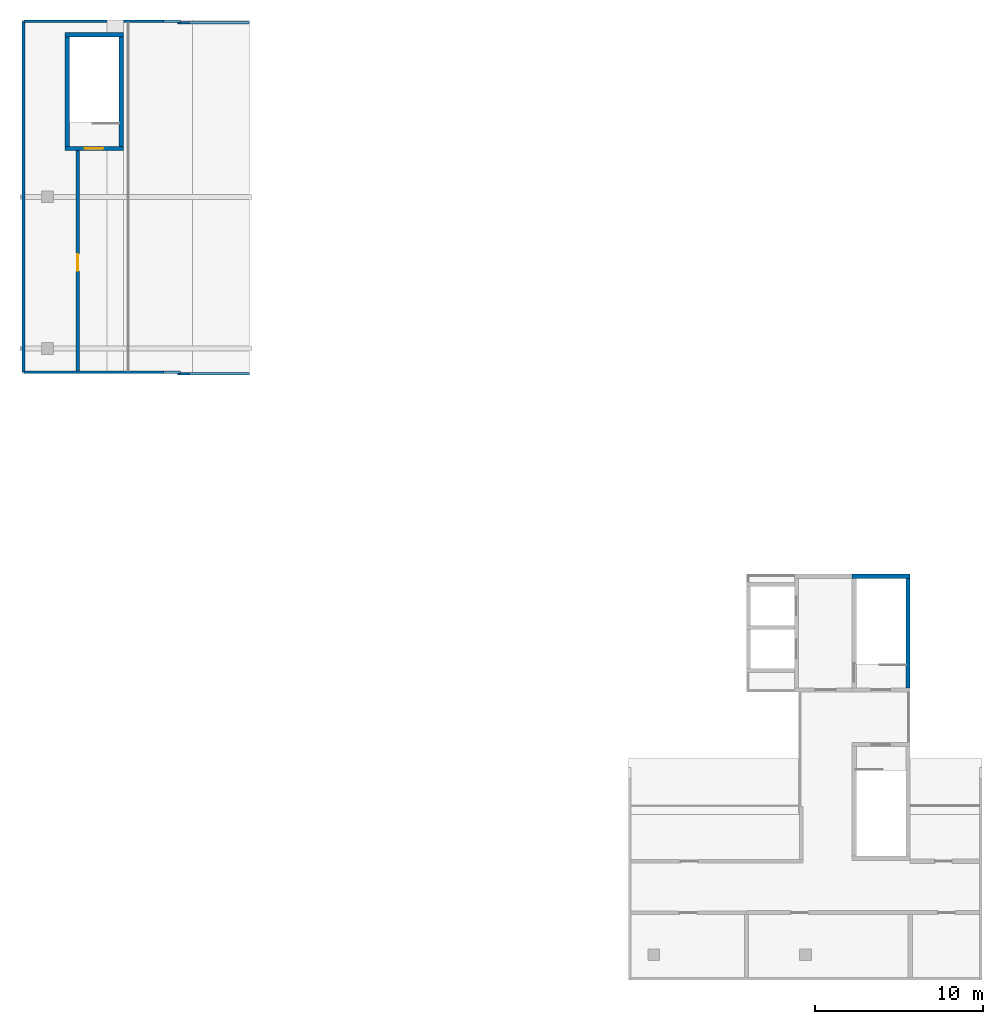
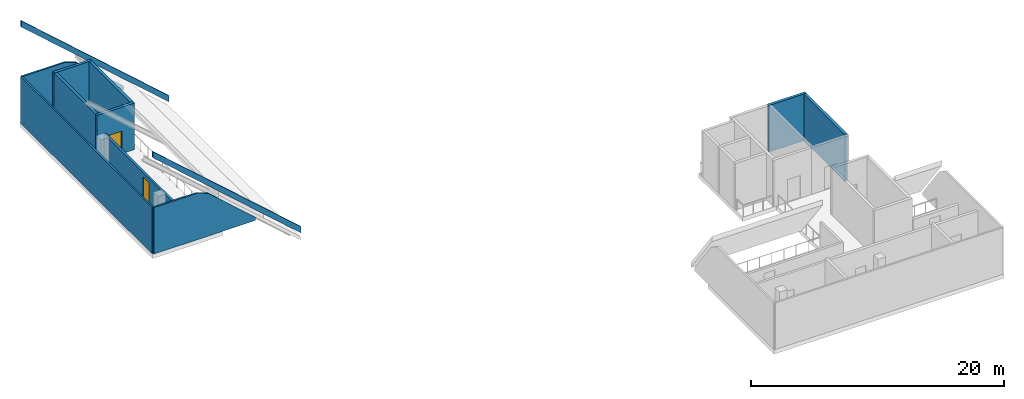
# One storey, part 2 of 3: 12 walls, 2 doors, 2 openings.
"""IFC4 building model written with IfcOpenShell, lengths in metres."""

from ifc_helpers import new_model, si_unit, direction, frame, frame_2d, origin, place, context, subcontext, project, spatial, polyline, rectangle, outline, extrude, material, layer, layer_set, type_object, element, fill, save


model = new_model("IFC4")

# Units and contexts
model_context = context("Model", 3, precision=1e-05, world=origin(), true_north=direction((0.0, 1.0)))
body_context = subcontext(model_context, "Body", "Model", "MODEL_VIEW")
ifc_project = project(units=[si_unit("LENGTHUNIT", "METRE"), si_unit("AREAUNIT", "SQUARE_METRE"), si_unit("VOLUMEUNIT", "CUBIC_METRE"), si_unit("PLANEANGLEUNIT", "RADIAN"), si_unit("MASSUNIT", "GRAM", prefix="KILO")], contexts=[model_context])

# Site, building, storey
site_placement = place(None, origin())
site = spatial("IfcSite", under=ifc_project, at=site_placement, CompositionType="ELEMENT")
building_placement = place(site_placement, origin())
building = spatial("IfcBuilding", under=site, at=building_placement, Name="Chenar Terraces", CompositionType="ELEMENT")
storey_placement = place(building_placement, frame((0.0, 0.0, 393.39990234375)))
storey = spatial("IfcBuildingStorey", under=building, at=storey_placement, Name="L92", CompositionType="ELEMENT", Elevation=393.39990234375)

# Walls
ifc_material_1 = material(Name="Concrete C40/50", Category="concrete")
ifc_layer_1 = layer(ifc_material_1, 0.25)
ifc_layer_set_1 = layer_set([ifc_layer_1], Name="Concrete C40/50")
wall_type_1 = type_object("IfcWallType", Name="Core wall 250 Concrete C40/50", PredefinedType="SHEAR", material=ifc_layer_set_1)
wall_1_placement = place(storey_placement, frame((47.77490234375, 22.47509765625, 0.0), z_axis=(0.0, 0.0, 1.0), x_axis=(1.0, 0.0, 0.0)))
element("IfcWall", 1, at=wall_1_placement, inside=storey, type_object=wall_type_1, Name="Core wall ST3_N L92", PredefinedType="SHEAR", context=body_context, shape_type="SweptSolid", body=[
    extrude(rectangle(XDim=3.4501953125, YDim=0.25, at=frame_2d((1.72509765625, 0.0))), origin(), (0.0, 0.0, 1.0), 4.5),
])
wall_2_placement = place(storey_placement, frame((51.10009765625, 15.85009765625, 0.0), z_axis=(0.0, 0.0, 1.0), x_axis=(0.0, 1.0, 0.0)))
element("IfcWall", 2, at=wall_2_placement, inside=storey, type_object=wall_type_1, Name="Core wall ST3_E L92", PredefinedType="SHEAR", context=body_context, shape_type="SweptSolid", body=[
    extrude(rectangle(XDim=6.5, YDim=0.25, at=frame_2d((3.25, 0.0))), origin(), (0.0, 0.0, 1.0), 4.5),
])

# Wall, opening, door
wall_3_placement = place(storey_placement, frame((1.050048828125, 47.875, 0.0), z_axis=(0.0, 0.0, 1.0), x_axis=(1.0, 0.0, 0.0)))
wall_3 = element("IfcWall", 3, at=wall_3_placement, inside=storey, type_object=wall_type_1, Name="Core wall ST6_S L92", PredefinedType="SHEAR", context=body_context, shape_type="SweptSolid", body=[
    extrude(rectangle(XDim=3.449951171875, YDim=0.25, at=frame_2d((1.72509765625, 0.0))), origin(), (0.0, 0.0, 1.0), 4.5),
])
opening_1_placement = place(wall_3_placement, frame((1.175048828125, 0.0, 0.0)))
opening_1 = element("IfcOpeningElement", 4, at=opening_1_placement, cuts=wall_3, Name="Opening DL92-C3", PredefinedType="OPENING", context=body_context, shape_type="SweptSolid", body=[
    extrude(rectangle(XDim=1.10009765625, YDim=2.199951171875, at=frame_2d((0.550048828125, 1.10009765625))), frame((0.0, 0.135009765625, 0.0), z_axis=(0.0, -1.0, 0.0), x_axis=(1.0, 0.0, 0.0)), (0.0, 0.0, 1.0), 0.27001953125),
])
ifc_material_2 = material(Name="Steel-framed fire-resisting door leaf", Category="steel")
door_type_1 = type_object("IfcDoorType", Name="Stair fire door FD60 1100 x 2200", OperationType="SINGLE_SWING_LEFT", PredefinedType="DOOR", material=ifc_material_2)
door_1_placement = place(opening_1_placement, origin())
door_1 = element("IfcDoor", 5, at=door_1_placement, inside=storey, type_object=door_type_1, Name="Stair door DL92-C3", OperationType="SINGLE_SWING_RIGHT", OverallHeight=2.199951171875, OverallWidth=1.10009765625, PredefinedType="DOOR", context=body_context, shape_type="SweptSolid", body=[
    extrude(rectangle(XDim=1.10009765625, YDim=2.199951171875, at=frame_2d((0.550048828125, 1.10009765625))), frame((0.0, 0.02490234375, 0.0), z_axis=(0.0, -1.0, 0.0), x_axis=(1.0, 0.0, 0.0)), (0.0, 0.0, 1.0), 0.050048828125),
])
fill(opening_1, door_1)

# Walls
wall_4_placement = place(storey_placement, frame((1.050048828125, 54.625, 0.0), z_axis=(0.0, 0.0, 1.0), x_axis=(1.0, 0.0, 0.0)))
element("IfcWall", 6, at=wall_4_placement, inside=storey, type_object=wall_type_1, Name="Core wall ST6_N L92", PredefinedType="SHEAR", context=body_context, shape_type="SweptSolid", body=[
    extrude(rectangle(XDim=3.449951171875, YDim=0.25, at=frame_2d((1.72509765625, 0.0))), origin(), (0.0, 0.0, 1.0), 4.5),
])
for number, where, z_axis, x_axis, name in (
    (7, (1.175048828125, 48.0, 0.0), (0.0, 0.0, 1.0), (0.0, 1.0, 0.0), "Core wall ST6_W L92"),
    (8, (4.375, 48.0, 0.0), (0.0, 0.0, 1.0), (0.0, 1.0, 0.0), "Core wall ST6_E L92"),
):
    element("IfcWall", number, at=place(storey_placement, frame(where, z_axis=z_axis, x_axis=x_axis)), inside=storey, type_object=wall_type_1, Name=name, PredefinedType="SHEAR", context=body_context, shape_type="SweptSolid", body=[
        extrude(rectangle(XDim=6.5, YDim=0.25, at=frame_2d((3.25, 0.0))), origin(), (0.0, 0.0, 1.0), 4.5),
    ])

# Wall, opening, door
ifc_material_3 = material(Name="Gypsum board on steel studs with fire boards", Category="steel")
ifc_layer_2 = layer(ifc_material_3, 0.199951171875)
ifc_layer_set_2 = layer_set([ifc_layer_2], Name="Gypsum board on steel studs with fire boards")
wall_type_2 = type_object("IfcWallType", Name="Corridor wall 200", PredefinedType="PARTITIONING", material=ifc_layer_set_2)
wall_5_placement = place(storey_placement, frame((1.800048828125, 34.64990234375, 0.0), z_axis=(0.0, 0.0, 1.0), x_axis=(0.0, 1.0, 0.0)))
wall_5 = element("IfcWall", 9, at=wall_5_placement, inside=storey, type_object=wall_type_2, Name="Partition L92-001", PredefinedType="PARTITIONING", context=body_context, shape_type="SweptSolid", body=[
    extrude(rectangle(XDim=13.10009765625, YDim=0.199951171875, at=frame_2d((6.550048828125, 0.0))), origin(), (0.0, 0.0, 1.0), 2.510009765625),
])
opening_2_placement = place(wall_5_placement, frame((5.949951171875, 0.0, 0.0)))
opening_2 = element("IfcOpeningElement", 10, at=opening_2_placement, cuts=wall_5, Name="Opening DL92-6", PredefinedType="OPENING", context=body_context, shape_type="SweptSolid", body=[
    extrude(rectangle(XDim=1.0, YDim=2.10009765625, at=frame_2d((0.5, 1.050048828125))), frame((0.0, 0.10986328125, 0.0), z_axis=(0.0, -1.0, 0.0), x_axis=(1.0, 0.0, 0.0)), (0.0, 0.0, 1.0), 0.219970703125),
])
ifc_material_4 = material(Name="Steel-framed fire-resisting door leaf", Category="steel")
door_type_2 = type_object("IfcDoorType", Name="Fire door FD60 1000 x 2100", OperationType="SINGLE_SWING_LEFT", PredefinedType="DOOR", material=ifc_material_4)
door_2_placement = place(opening_2_placement, origin())
door_2 = element("IfcDoor", 11, at=door_2_placement, inside=storey, type_object=door_type_2, Name="Door DL92-6", OperationType="SINGLE_SWING_RIGHT", OverallHeight=2.10009765625, OverallWidth=1.0, PredefinedType="DOOR", context=body_context, shape_type="SweptSolid", body=[
    extrude(rectangle(XDim=1.0, YDim=2.10009765625, at=frame_2d((0.5, 1.050048828125))), frame((0.0, 0.02490234375, 0.0), z_axis=(0.0, -1.0, 0.0), x_axis=(1.0, 0.0, 0.0)), (0.0, 0.0, 1.0), 0.050048828125),
])
fill(opening_2, door_2)

# Walls
ifc_material_5 = material(Name="Terracotta cladding on insulated backing", Category="masonry")
ifc_layer_3 = layer(ifc_material_5, 0.14990234375)
ifc_layer_set_3 = layer_set([ifc_layer_3], Name="Terracotta cladding on insulated backing")
wall_type_3 = type_object("IfcWallType", Name="Crown parapet 150", PredefinedType="PARAPET", material=ifc_layer_set_3)
for number, where, z_axis, x_axis, name in (
    (12, (12.0, 34.574951171875, -2.59521484375), (0.0, 1.0, 0.0), (-0.74844343581, 0.0, 0.663198630422), "Crown parapet"),
    (13, (12.0, 55.425048828125, -2.59521484375), (0.0, 1.0, 0.0), (-0.74844343581, 0.0, 0.663198630422), "Crown parapet"),
):
    element("IfcWall", number, at=place(storey_placement, frame(where, z_axis=z_axis, x_axis=x_axis)), inside=storey, type_object=wall_type_3, Name=name, PredefinedType="PARAPET", context=body_context, shape_type="SweptSolid", body=[
        extrude(outline(polyline([(0.0, 0.0), (18.037435234360665, 0.0), (18.435419178105, 0.4491391516651042), (0.39798394374433516, 0.4491391516651038), (0.0, 0.0)])), origin(), (0.0, 0.0, -1.0), 0.14990234375),
    ])
ifc_material_6 = material(Name="Terracotta cladding on insulated backing", Category="masonry")
ifc_layer_4 = layer(ifc_material_6, 0.14990234375)
ifc_layer_set_4 = layer_set([ifc_layer_4], Name="Terracotta cladding on insulated backing")
wall_type_4 = type_object("IfcWallType", Name="Crown terracotta wall 150", PredefinedType="SOLIDWALL", material=ifc_layer_set_4)
wall_6_placement = place(storey_placement, frame((7.9033203125, 55.425048828125, 0.0), z_axis=(0.0, 0.0, 1.0), x_axis=(-1.0, 0.0, 0.0)))
element("IfcWall", 14, at=wall_6_placement, inside=storey, type_object=wall_type_4, Name="Crown terracotta wall", PredefinedType="SOLIDWALL", context=body_context, shape_type="SweptSolid", body=[
    extrude(outline(polyline([(0.0, 0.0), (9.30322265625, 0.0), (9.30322265625, 4.5), (5.3330078125, 4.5), (4.34033203125, 4.14599609375), (3.34765625, 3.26611328125), (2.35498046875, 2.38720703125), (1.362548828125, 1.507080078125), (0.369873046875, 0.628173828125), (0.0, 0.300048828125), (0.0, 0.0)])), frame((0.0, 0.074951171875, 0.0), z_axis=(0.0, -1.0, 0.0), x_axis=(1.0, 0.0, 0.0)), (0.0, 0.0, 1.0), 0.14990234375),
])
wall_7_placement = place(storey_placement, frame((-1.425048828125, 55.39990234375, 0.0), z_axis=(0.0, 0.0, 1.0), x_axis=(0.0, -1.0, 0.0)))
element("IfcWall", 15, at=wall_7_placement, inside=storey, type_object=wall_type_4, Name="Crown terracotta wall", PredefinedType="SOLIDWALL", context=body_context, shape_type="SweptSolid", body=[
    extrude(rectangle(XDim=20.7998046875, YDim=0.14990234375, at=frame_2d((10.39990234375, 0.0))), origin(), (0.0, 0.0, 1.0), 4.5),
])
wall_8_placement = place(storey_placement, frame((-1.39990234375, 34.574951171875, 0.0), z_axis=(0.0, 0.0, 1.0), x_axis=(1.0, 0.0, 0.0)))
element("IfcWall", 16, at=wall_8_placement, inside=storey, type_object=wall_type_4, Name="Crown terracotta wall", PredefinedType="SOLIDWALL", context=body_context, shape_type="SweptSolid", body=[
    extrude(outline(polyline([(0.0, 0.0), (9.30322265625, 0.0), (9.30322265625, 0.300048828125), (4.962890625, 4.14599609375), (3.970458984375, 4.5), (0.0, 4.5), (0.0, 0.0)])), frame((0.0, 0.074951171875, 0.0), z_axis=(0.0, -1.0, 0.0), x_axis=(1.0, 0.0, 0.0)), (0.0, 0.0, 1.0), 0.14990234375),
])

save(model, "model.ifc")
